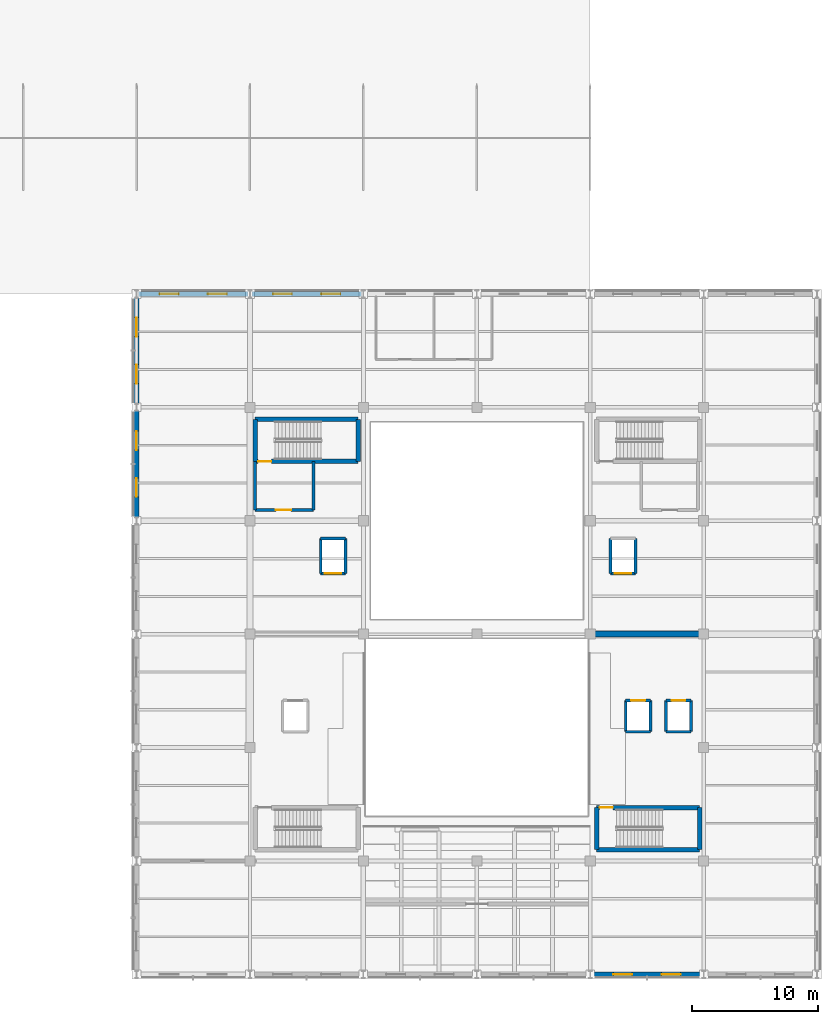
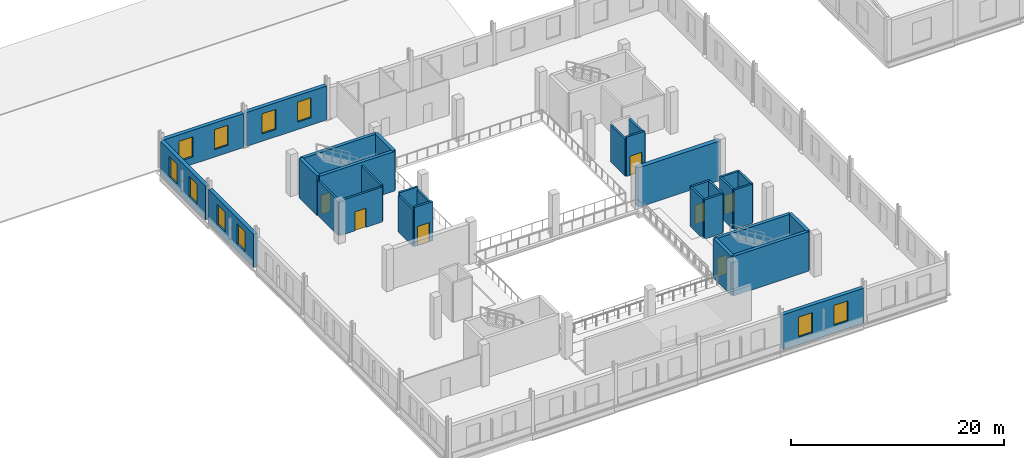
# One storey, part 19 of 35: 32 walls, 10 windows, 7 doors, 17 openings.
"""IFC4 building model written with IfcOpenShell, lengths in metres."""

from ifc_helpers import new_model, si_unit, direction, frame, frame_2d, origin, place, context, subcontext, project, spatial, rectangle, extrude, material, layer, layer_set, type_object, element, fill, save


model = new_model("IFC4")

# Units and contexts
model_context = context("Model", 3, precision=1e-05, world=origin(), true_north=direction((0.0, 1.0)))
body_context = subcontext(model_context, "Body", "Model", "MODEL_VIEW")
ifc_project = project(units=[si_unit("LENGTHUNIT", "METRE"), si_unit("AREAUNIT", "SQUARE_METRE"), si_unit("VOLUMEUNIT", "CUBIC_METRE"), si_unit("PLANEANGLEUNIT", "RADIAN"), si_unit("MASSUNIT", "GRAM", prefix="KILO")], contexts=[model_context])

# Site, building, storey
site_placement = place(None, origin())
site = spatial("IfcSite", under=ifc_project, at=site_placement, CompositionType="ELEMENT")
building_placement = place(site_placement, origin())
building = spatial("IfcBuilding", under=site, at=building_placement, Name="Sundgate Opera House", CompositionType="ELEMENT")
storey_placement = place(building_placement, frame((0.0, 0.0, 21.60009765625)))
storey = spatial("IfcBuildingStorey", under=building, at=storey_placement, Name="L04", CompositionType="ELEMENT", Elevation=21.60009765625)

# Wall, opening, door
ifc_material_1 = material(Name="Concrete C40/50", Category="concrete")
ifc_layer_1 = layer(ifc_material_1, 0.35009765625)
ifc_layer_set_1 = layer_set([ifc_layer_1], Name="Concrete C40/50")
wall_type_1 = type_object("IfcWallType", Name="WL-CORE-350", PredefinedType="SHEAR", material=ifc_layer_set_1)
wall_1_placement = place(storey_placement, frame((36.409912109375, 73.7099609375, 0.0), z_axis=(0.0, 0.0, 1.0), x_axis=(1.0, 0.0, 0.0)))
wall_1 = element("IfcWall", 1, at=wall_1_placement, inside=storey, type_object=wall_type_1, Name="L04 C2 South Shaft Wall", PredefinedType="SHEAR", context=body_context, shape_type="SweptSolid", body=[
    extrude(rectangle(XDim=8.18017578125, YDim=0.35009765625, at=frame_2d((4.090087890625, 0.0))), origin(), (0.0, 0.0, 1.0), 4.539794921875),
])
opening_1_placement = place(wall_1_placement, frame((0.239990234375, 0.0, 0.0)))
opening_1 = element("IfcOpeningElement", 2, at=opening_1_placement, cuts=wall_1, Name="Opening DI01", PredefinedType="OPENING", context=body_context, shape_type="SweptSolid", body=[
    extrude(rectangle(XDim=1.050048828125, YDim=2.179931640625, at=frame_2d((0.52490234375, 1.08984375))), frame((0.0, 0.18505859375, 0.0), z_axis=(0.0, -1.0, 0.0), x_axis=(1.0, 0.0, 0.0)), (0.0, 0.0, 1.0), 0.3701171875),
])
ifc_material_2 = material(Name="Acoustic hardwood timber and steel core", Category="steel")
door_type_1 = type_object("IfcDoorType", Name="DR-STAIR-1050x2180", OperationType="NOTDEFINED", PredefinedType="DOOR", material=ifc_material_2)
door_1_placement = place(opening_1_placement, origin())
door_1 = element("IfcDoor", 3, at=door_1_placement, inside=storey, type_object=door_type_1, Name="L04 C2 Stair Door D0042", OperationType="SINGLE_SWING_RIGHT", OverallHeight=2.179931640625, OverallWidth=1.050048828125, PredefinedType="DOOR", context=body_context, shape_type="SweptSolid", body=[
    extrude(rectangle(XDim=1.050048828125, YDim=2.179931640625, at=frame_2d((0.52490234375, 1.08984375))), frame((0.0, 0.02490234375, 0.0), z_axis=(0.0, -1.0, 0.0), x_axis=(1.0, 0.0, 0.0)), (0.0, 0.0, 1.0), 0.050048828125),
])
fill(opening_1, door_1)

# Walls
wall_2_placement = place(storey_placement, frame((36.409912109375, 77.0400390625, 0.0), z_axis=(0.0, 0.0, 1.0), x_axis=(1.0, 0.0, 0.0)))
element("IfcWall", 4, at=wall_2_placement, inside=storey, type_object=wall_type_1, Name="L04 C2 North Shaft Wall", PredefinedType="SHEAR", context=body_context, shape_type="SweptSolid", body=[
    extrude(rectangle(XDim=8.18017578125, YDim=0.35009765625, at=frame_2d((4.090087890625, 0.0))), origin(), (0.0, 0.0, 1.0), 4.539794921875),
])
for number, where, z_axis, x_axis, name in (
    (5, (36.409912109375, 73.7099609375, 0.0), (0.0, 0.0, 1.0), (0.0, 1.0, 0.0), "L04 C2 West Shaft Wall"),
    (6, (44.590087890625, 73.7099609375, 0.0), (0.0, 0.0, 1.0), (0.0, 1.0, 0.0), "L04 C2 East Shaft Wall"),
):
    element("IfcWall", number, at=place(storey_placement, frame(where, z_axis=z_axis, x_axis=x_axis)), inside=storey, type_object=wall_type_1, Name=name, PredefinedType="SHEAR", context=body_context, shape_type="SweptSolid", body=[
        extrude(rectangle(XDim=3.330078125, YDim=0.35009765625, at=frame_2d((1.6650390625, 0.0))), origin(), (0.0, 0.0, 1.0), 4.539794921875),
    ])
wall_3_placement = place(storey_placement, frame((63.510009765625, 42.909912109375, 0.0), z_axis=(0.0, 0.0, 1.0), x_axis=(1.0, 0.0, 0.0)))
element("IfcWall", 7, at=wall_3_placement, inside=storey, type_object=wall_type_1, Name="L04 C3 South Shaft Wall", PredefinedType="SHEAR", context=body_context, shape_type="SweptSolid", body=[
    extrude(rectangle(XDim=8.179931640625, YDim=0.35009765625, at=frame_2d((4.08984375, 0.0))), origin(), (0.0, 0.0, 1.0), 4.539794921875),
])

# Wall, opening, door
wall_4_placement = place(storey_placement, frame((63.510009765625, 46.239990234375, 0.0), z_axis=(0.0, 0.0, 1.0), x_axis=(1.0, 0.0, 0.0)))
wall_4 = element("IfcWall", 8, at=wall_4_placement, inside=storey, type_object=wall_type_1, Name="L04 C3 North Shaft Wall", PredefinedType="SHEAR", context=body_context, shape_type="SweptSolid", body=[
    extrude(rectangle(XDim=8.179931640625, YDim=0.35009765625, at=frame_2d((4.08984375, 0.0))), origin(), (0.0, 0.0, 1.0), 4.539794921875),
])
opening_2_placement = place(wall_4_placement, frame((0.239990234375, 0.0, 0.0)))
opening_2 = element("IfcOpeningElement", 9, at=opening_2_placement, cuts=wall_4, Name="Opening DI01", PredefinedType="OPENING", context=body_context, shape_type="SweptSolid", body=[
    extrude(rectangle(XDim=1.050048828125, YDim=2.179931640625, at=frame_2d((0.52490234375, 1.08984375))), frame((0.0, 0.18505859375, 0.0), z_axis=(0.0, -1.0, 0.0), x_axis=(1.0, 0.0, 0.0)), (0.0, 0.0, 1.0), 0.3701171875),
])
door_2_placement = place(opening_2_placement, origin())
door_2 = element("IfcDoor", 10, at=door_2_placement, inside=storey, type_object=door_type_1, Name="L04 C3 Stair Door D0053", OperationType="SINGLE_SWING_LEFT", OverallHeight=2.179931640625, OverallWidth=1.050048828125, PredefinedType="DOOR", context=body_context, shape_type="SweptSolid", body=[
    extrude(rectangle(XDim=1.050048828125, YDim=2.179931640625, at=frame_2d((0.52490234375, 1.08984375))), frame((0.0, 0.02490234375, 0.0), z_axis=(0.0, -1.0, 0.0), x_axis=(1.0, 0.0, 0.0)), (0.0, 0.0, 1.0), 0.050048828125),
])
fill(opening_2, door_2)

# Walls
for number, where, z_axis, x_axis, name in (
    (11, (63.510009765625, 42.909912109375, 0.0), (0.0, 0.0, 1.0), (0.0, 1.0, 0.0), "L04 C3 West Shaft Wall"),
    (12, (71.68994140625, 42.909912109375, 0.0), (0.0, 0.0, 1.0), (0.0, 1.0, 0.0), "L04 C3 East Shaft Wall"),
):
    element("IfcWall", number, at=place(storey_placement, frame(where, z_axis=z_axis, x_axis=x_axis)), inside=storey, type_object=wall_type_1, Name=name, PredefinedType="SHEAR", context=body_context, shape_type="SweptSolid", body=[
        extrude(rectangle(XDim=3.330078125, YDim=0.35009765625, at=frame_2d((1.6650390625, 0.0))), origin(), (0.0, 0.0, 1.0), 4.539794921875),
    ])

# Wall, openings, windows
ifc_material_3 = material(Name="Vitrified stoneware trencadis and brick masonry", Category="masonry")
ifc_layer_2 = layer(ifc_material_3, 0.409912109375)
ifc_layer_set_2 = layer_set([ifc_layer_2], Name="Vitrified stoneware trencadis and brick masonry")
wall_type_2 = type_object("IfcWallType", Name="WL-EXT-TRENC-410", PredefinedType="SOLIDWALL", material=ifc_layer_set_2)
wall_5_placement = place(storey_placement, frame((27.14501953125, 87.0, 0.0), z_axis=(0.0, 0.0, 1.0), x_axis=(1.0, 0.0, 0.0)))
wall_5 = element("IfcWall", 13, at=wall_5_placement, inside=storey, type_object=wall_type_2, Name="L04 Lifted Cube North Relief Wall W0094", PredefinedType="SOLIDWALL", context=body_context, shape_type="SweptSolid", body=[
    extrude(rectangle(XDim=8.7099609375, YDim=0.409912109375, at=frame_2d((4.35498046875, 0.0))), origin(), (0.0, 0.0, 1.0), 3.90478515625),
])
opening_3_placement = place(wall_5_placement, frame((1.68896484375, 0.0, 0.85009765625)))
opening_3 = element("IfcOpeningElement", 14, at=opening_3_placement, cuts=wall_5, Name="Opening W02", PredefinedType="OPENING", context=body_context, shape_type="SweptSolid", body=[
    extrude(rectangle(XDim=1.5, YDim=2.300048828125, at=frame_2d((0.75, 1.14990234375))), frame((0.0, 0.21484375, 0.0), z_axis=(0.0, -1.0, 0.0), x_axis=(1.0, 0.0, 0.0)), (0.0, 0.0, 1.0), 0.429931640625),
])
opening_4_placement = place(wall_5_placement, frame((5.52099609375, 0.0, 0.85009765625)))
opening_4 = element("IfcOpeningElement", 15, at=opening_4_placement, cuts=wall_5, Name="Opening W02", PredefinedType="OPENING", context=body_context, shape_type="SweptSolid", body=[
    extrude(rectangle(XDim=1.5, YDim=2.300048828125, at=frame_2d((0.75, 1.14990234375))), frame((0.0, 0.21484375, 0.0), z_axis=(0.0, -1.0, 0.0), x_axis=(1.0, 0.0, 0.0)), (0.0, 0.0, 1.0), 0.429931640625),
])
ifc_material_4 = material(Name="Low-iron triple glazing in patinated bronze frame", Category="glass")
window_type = type_object("IfcWindowType", Name="WN-CUBE-1500x2300", PartitioningType="SINGLE_PANEL", PredefinedType="WINDOW", material=ifc_material_4)
window_1_placement = place(opening_3_placement, origin())
window_1 = element("IfcWindow", 16, at=window_1_placement, inside=storey, type_object=window_type, Name="L04 Cube Loggia Window WN0059", OverallHeight=2.300048828125, OverallWidth=1.5, PartitioningType="SINGLE_PANEL", PredefinedType="WINDOW", context=body_context, shape_type="SweptSolid", body=[
    extrude(rectangle(XDim=1.5, YDim=2.300048828125, at=frame_2d((0.75, 1.14990234375))), frame((0.0, 0.030029296875, 0.0), z_axis=(0.0, -1.0, 0.0), x_axis=(1.0, 0.0, 0.0)), (0.0, 0.0, 1.0), 0.06005859375),
])
fill(opening_3, window_1)
window_2_placement = place(opening_4_placement, origin())
window_2 = element("IfcWindow", 17, at=window_2_placement, inside=storey, type_object=window_type, Name="L04 Cube Loggia Window WN0060", OverallHeight=2.300048828125, OverallWidth=1.5, PartitioningType="SINGLE_PANEL", PredefinedType="WINDOW", context=body_context, shape_type="SweptSolid", body=[
    extrude(rectangle(XDim=1.5, YDim=2.300048828125, at=frame_2d((0.75, 1.14990234375))), frame((0.0, 0.030029296875, 0.0), z_axis=(0.0, -1.0, 0.0), x_axis=(1.0, 0.0, 0.0)), (0.0, 0.0, 1.0), 0.06005859375),
])
fill(opening_4, window_2)

wall_6_placement = place(storey_placement, frame((36.14501953125, 87.0, 0.0), z_axis=(0.0, 0.0, 1.0), x_axis=(1.0, 0.0, 0.0)))
wall_6 = element("IfcWall", 18, at=wall_6_placement, inside=storey, type_object=wall_type_2, Name="L04 Lifted Cube North Relief Wall W0096", PredefinedType="SOLIDWALL", context=body_context, shape_type="SweptSolid", body=[
    extrude(rectangle(XDim=8.7099609375, YDim=0.409912109375, at=frame_2d((4.35498046875, 0.0))), origin(), (0.0, 0.0, 1.0), 3.90478515625),
])
opening_5_placement = place(wall_6_placement, frame((1.68896484375, 0.0, 0.85009765625)))
opening_5 = element("IfcOpeningElement", 19, at=opening_5_placement, cuts=wall_6, Name="Opening W02", PredefinedType="OPENING", context=body_context, shape_type="SweptSolid", body=[
    extrude(rectangle(XDim=1.5, YDim=2.300048828125, at=frame_2d((0.75, 1.14990234375))), frame((0.0, 0.21484375, 0.0), z_axis=(0.0, -1.0, 0.0), x_axis=(1.0, 0.0, 0.0)), (0.0, 0.0, 1.0), 0.429931640625),
])
opening_6_placement = place(wall_6_placement, frame((5.52099609375, 0.0, 0.85009765625)))
opening_6 = element("IfcOpeningElement", 20, at=opening_6_placement, cuts=wall_6, Name="Opening W02", PredefinedType="OPENING", context=body_context, shape_type="SweptSolid", body=[
    extrude(rectangle(XDim=1.5, YDim=2.300048828125, at=frame_2d((0.75, 1.14990234375))), frame((0.0, 0.21484375, 0.0), z_axis=(0.0, -1.0, 0.0), x_axis=(1.0, 0.0, 0.0)), (0.0, 0.0, 1.0), 0.429931640625),
])
window_3_placement = place(opening_5_placement, origin())
window_3 = element("IfcWindow", 21, at=window_3_placement, inside=storey, type_object=window_type, Name="L04 Cube Loggia Window WN0063", OverallHeight=2.300048828125, OverallWidth=1.5, PartitioningType="SINGLE_PANEL", PredefinedType="WINDOW", context=body_context, shape_type="SweptSolid", body=[
    extrude(rectangle(XDim=1.5, YDim=2.300048828125, at=frame_2d((0.75, 1.14990234375))), frame((0.0, 0.030029296875, 0.0), z_axis=(0.0, -1.0, 0.0), x_axis=(1.0, 0.0, 0.0)), (0.0, 0.0, 1.0), 0.06005859375),
])
fill(opening_5, window_3)
window_4_placement = place(opening_6_placement, origin())
window_4 = element("IfcWindow", 22, at=window_4_placement, inside=storey, type_object=window_type, Name="L04 Cube Loggia Window WN0064", OverallHeight=2.300048828125, OverallWidth=1.5, PartitioningType="SINGLE_PANEL", PredefinedType="WINDOW", context=body_context, shape_type="SweptSolid", body=[
    extrude(rectangle(XDim=1.5, YDim=2.300048828125, at=frame_2d((0.75, 1.14990234375))), frame((0.0, 0.030029296875, 0.0), z_axis=(0.0, -1.0, 0.0), x_axis=(1.0, 0.0, 0.0)), (0.0, 0.0, 1.0), 0.06005859375),
])
fill(opening_6, window_4)

wall_7_placement = place(storey_placement, frame((71.85498046875, 33.0, 0.0), z_axis=(0.0, 0.0, 1.0), x_axis=(-1.0, 0.0, 0.0)))
wall_7 = element("IfcWall", 23, at=wall_7_placement, inside=storey, type_object=wall_type_2, Name="L04 Lifted Cube South Relief Wall W0101", PredefinedType="SOLIDWALL", context=body_context, shape_type="SweptSolid", body=[
    extrude(rectangle(XDim=8.7099609375, YDim=0.409912109375, at=frame_2d((4.35498046875, 0.0))), origin(), (0.0, 0.0, 1.0), 4.0048828125),
])
opening_7_placement = place(wall_7_placement, frame((1.68896484375, 0.0, 0.85009765625)))
opening_7 = element("IfcOpeningElement", 24, at=opening_7_placement, cuts=wall_7, Name="Opening W02", PredefinedType="OPENING", context=body_context, shape_type="SweptSolid", body=[
    extrude(rectangle(XDim=1.5, YDim=2.300048828125, at=frame_2d((0.75, 1.14990234375))), frame((0.0, 0.21484375, 0.0), z_axis=(0.0, -1.0, 0.0), x_axis=(1.0, 0.0, 0.0)), (0.0, 0.0, 1.0), 0.429931640625),
])
opening_8_placement = place(wall_7_placement, frame((5.52099609375, 0.0, 0.85009765625)))
opening_8 = element("IfcOpeningElement", 25, at=opening_8_placement, cuts=wall_7, Name="Opening W02", PredefinedType="OPENING", context=body_context, shape_type="SweptSolid", body=[
    extrude(rectangle(XDim=1.5, YDim=2.300048828125, at=frame_2d((0.75, 1.14990234375))), frame((0.0, 0.21484375, 0.0), z_axis=(0.0, -1.0, 0.0), x_axis=(1.0, 0.0, 0.0)), (0.0, 0.0, 1.0), 0.429931640625),
])
window_5_placement = place(opening_7_placement, origin())
window_5 = element("IfcWindow", 26, at=window_5_placement, inside=storey, type_object=window_type, Name="L04 Cube Loggia Window WN0073", OverallHeight=2.300048828125, OverallWidth=1.5, PartitioningType="SINGLE_PANEL", PredefinedType="WINDOW", context=body_context, shape_type="SweptSolid", body=[
    extrude(rectangle(XDim=1.5, YDim=2.300048828125, at=frame_2d((0.75, 1.14990234375))), frame((0.0, 0.030029296875, 0.0), z_axis=(0.0, -1.0, 0.0), x_axis=(1.0, 0.0, 0.0)), (0.0, 0.0, 1.0), 0.06005859375),
])
fill(opening_7, window_5)
window_6_placement = place(opening_8_placement, origin())
window_6 = element("IfcWindow", 27, at=window_6_placement, inside=storey, type_object=window_type, Name="L04 Cube Loggia Window WN0074", OverallHeight=2.300048828125, OverallWidth=1.5, PartitioningType="SINGLE_PANEL", PredefinedType="WINDOW", context=body_context, shape_type="SweptSolid", body=[
    extrude(rectangle(XDim=1.5, YDim=2.300048828125, at=frame_2d((0.75, 1.14990234375))), frame((0.0, 0.030029296875, 0.0), z_axis=(0.0, -1.0, 0.0), x_axis=(1.0, 0.0, 0.0)), (0.0, 0.0, 1.0), 0.06005859375),
])
fill(opening_8, window_6)

wall_8_placement = place(storey_placement, frame((27.0, 77.72998046875, 0.0), z_axis=(0.0, 0.0, 1.0), x_axis=(0.0, -1.0, 0.0)))
wall_8 = element("IfcWall", 28, at=wall_8_placement, inside=storey, type_object=wall_type_2, Name="L04 Lifted Cube West Relief Wall W0113", PredefinedType="SOLIDWALL", context=body_context, shape_type="SweptSolid", body=[
    extrude(rectangle(XDim=8.4599609375, YDim=0.409912109375, at=frame_2d((4.22998046875, 0.0))), origin(), (0.0, 0.0, 1.0), 3.85498046875),
])
opening_9_placement = place(wall_8_placement, frame((1.618896484375, 0.0, 0.85009765625)))
opening_9 = element("IfcOpeningElement", 29, at=opening_9_placement, cuts=wall_8, Name="Opening W02", PredefinedType="OPENING", context=body_context, shape_type="SweptSolid", body=[
    extrude(rectangle(XDim=1.5, YDim=2.300048828125, at=frame_2d((0.75, 1.14990234375))), frame((0.0, 0.21484375, 0.0), z_axis=(0.0, -1.0, 0.0), x_axis=(1.0, 0.0, 0.0)), (0.0, 0.0, 1.0), 0.429931640625),
])
opening_10_placement = place(wall_8_placement, frame((5.341064453125, 0.0, 0.85009765625)))
opening_10 = element("IfcOpeningElement", 30, at=opening_10_placement, cuts=wall_8, Name="Opening W02", PredefinedType="OPENING", context=body_context, shape_type="SweptSolid", body=[
    extrude(rectangle(XDim=1.5, YDim=2.300048828125, at=frame_2d((0.75, 1.14990234375))), frame((0.0, 0.21484375, 0.0), z_axis=(0.0, -1.0, 0.0), x_axis=(1.0, 0.0, 0.0)), (0.0, 0.0, 1.0), 0.429931640625),
])
window_7_placement = place(opening_9_placement, origin())
window_7 = element("IfcWindow", 31, at=window_7_placement, inside=storey, type_object=window_type, Name="L04 Cube Loggia Window WN0097", OverallHeight=2.300048828125, OverallWidth=1.5, PartitioningType="SINGLE_PANEL", PredefinedType="WINDOW", context=body_context, shape_type="SweptSolid", body=[
    extrude(rectangle(XDim=1.5, YDim=2.300048828125, at=frame_2d((0.75, 1.14990234375))), frame((0.0, 0.030029296875, 0.0), z_axis=(0.0, -1.0, 0.0), x_axis=(1.0, 0.0, 0.0)), (0.0, 0.0, 1.0), 0.06005859375),
])
fill(opening_9, window_7)
window_8_placement = place(opening_10_placement, origin())
window_8 = element("IfcWindow", 32, at=window_8_placement, inside=storey, type_object=window_type, Name="L04 Cube Loggia Window WN0098", OverallHeight=2.300048828125, OverallWidth=1.5, PartitioningType="SINGLE_PANEL", PredefinedType="WINDOW", context=body_context, shape_type="SweptSolid", body=[
    extrude(rectangle(XDim=1.5, YDim=2.300048828125, at=frame_2d((0.75, 1.14990234375))), frame((0.0, 0.030029296875, 0.0), z_axis=(0.0, -1.0, 0.0), x_axis=(1.0, 0.0, 0.0)), (0.0, 0.0, 1.0), 0.06005859375),
])
fill(opening_10, window_8)

wall_9_placement = place(storey_placement, frame((27.0, 86.72998046875, 0.0), z_axis=(0.0, 0.0, 1.0), x_axis=(0.0, -1.0, 0.0)))
wall_9 = element("IfcWall", 33, at=wall_9_placement, inside=storey, type_object=wall_type_2, Name="L04 Lifted Cube West Relief Wall W0115", PredefinedType="SOLIDWALL", context=body_context, shape_type="SweptSolid", body=[
    extrude(rectangle(XDim=8.4599609375, YDim=0.409912109375, at=frame_2d((4.22998046875, 0.0))), origin(), (0.0, 0.0, 1.0), 3.90478515625),
])
opening_11_placement = place(wall_9_placement, frame((1.618896484375, 0.0, 0.85009765625)))
opening_11 = element("IfcOpeningElement", 34, at=opening_11_placement, cuts=wall_9, Name="Opening W02", PredefinedType="OPENING", context=body_context, shape_type="SweptSolid", body=[
    extrude(rectangle(XDim=1.5, YDim=2.300048828125, at=frame_2d((0.75, 1.14990234375))), frame((0.0, 0.21484375, 0.0), z_axis=(0.0, -1.0, 0.0), x_axis=(1.0, 0.0, 0.0)), (0.0, 0.0, 1.0), 0.429931640625),
])
opening_12_placement = place(wall_9_placement, frame((5.341064453125, 0.0, 0.85009765625)))
opening_12 = element("IfcOpeningElement", 35, at=opening_12_placement, cuts=wall_9, Name="Opening W02", PredefinedType="OPENING", context=body_context, shape_type="SweptSolid", body=[
    extrude(rectangle(XDim=1.5, YDim=2.300048828125, at=frame_2d((0.75, 1.14990234375))), frame((0.0, 0.21484375, 0.0), z_axis=(0.0, -1.0, 0.0), x_axis=(1.0, 0.0, 0.0)), (0.0, 0.0, 1.0), 0.429931640625),
])
window_9_placement = place(opening_11_placement, origin())
window_9 = element("IfcWindow", 36, at=window_9_placement, inside=storey, type_object=window_type, Name="L04 Cube Loggia Window WN0101", OverallHeight=2.300048828125, OverallWidth=1.5, PartitioningType="SINGLE_PANEL", PredefinedType="WINDOW", context=body_context, shape_type="SweptSolid", body=[
    extrude(rectangle(XDim=1.5, YDim=2.300048828125, at=frame_2d((0.75, 1.14990234375))), frame((0.0, 0.030029296875, 0.0), z_axis=(0.0, -1.0, 0.0), x_axis=(1.0, 0.0, 0.0)), (0.0, 0.0, 1.0), 0.06005859375),
])
fill(opening_11, window_9)
window_10_placement = place(opening_12_placement, origin())
window_10 = element("IfcWindow", 37, at=window_10_placement, inside=storey, type_object=window_type, Name="L04 Cube Loggia Window WN0102", OverallHeight=2.300048828125, OverallWidth=1.5, PartitioningType="SINGLE_PANEL", PredefinedType="WINDOW", context=body_context, shape_type="SweptSolid", body=[
    extrude(rectangle(XDim=1.5, YDim=2.300048828125, at=frame_2d((0.75, 1.14990234375))), frame((0.0, 0.030029296875, 0.0), z_axis=(0.0, -1.0, 0.0), x_axis=(1.0, 0.0, 0.0)), (0.0, 0.0, 1.0), 0.06005859375),
])
fill(opening_12, window_10)

# Wall, opening, door
ifc_material_5 = material(Name="Fire-rated gypsum and mineral-wool shaft partition", Category="gypsum")
ifc_layer_3 = layer(ifc_material_5, 0.219970703125)
ifc_layer_set_3 = layer_set([ifc_layer_3], Name="Fire-rated gypsum and mineral-wool shaft partition")
wall_type_3 = type_object("IfcWallType", Name="WL-INT-FIRE-220", PredefinedType="PARTITIONING", material=ifc_layer_set_3)
wall_10_placement = place(storey_placement, frame((36.409912109375, 69.85009765625, 0.0), z_axis=(0.0, 0.0, 1.0), x_axis=(1.0, 0.0, 0.0)))
wall_10 = element("IfcWall", 38, at=wall_10_placement, inside=storey, type_object=wall_type_3, Name="L04 C2 Firefighting Lobby South Wall", PredefinedType="PARTITIONING", context=body_context, shape_type="SweptSolid", body=[
    extrude(rectangle(XDim=4.64013671875, YDim=0.219970703125, at=frame_2d((2.320068359375, 0.0))), origin(), (0.0, 0.0, 1.0), 4.0048828125),
])
opening_13_placement = place(wall_10_placement, frame((1.64990234375, 0.0, 0.0)))
opening_13 = element("IfcOpeningElement", 39, at=opening_13_placement, cuts=wall_10, Name="Opening DI02", PredefinedType="OPENING", context=body_context, shape_type="SweptSolid", body=[
    extrude(rectangle(XDim=1.199951171875, YDim=2.179931640625, at=frame_2d((0.60009765625, 1.08984375))), frame((0.0, 0.119873046875, 0.0), z_axis=(0.0, -1.0, 0.0), x_axis=(1.0, 0.0, 0.0)), (0.0, 0.0, 1.0), 0.239990234375),
])
ifc_material_6 = material(Name="Acoustic hardwood timber and steel core", Category="steel")
door_type_2 = type_object("IfcDoorType", Name="DR-FFLOB-1200x2180", OperationType="NOTDEFINED", PredefinedType="DOOR", material=ifc_material_6)
door_3_placement = place(opening_13_placement, origin())
door_3 = element("IfcDoor", 40, at=door_3_placement, inside=storey, type_object=door_type_2, Name="L04 C2 Firefighting Lobby Door D0043", OperationType="SINGLE_SWING_LEFT", OverallHeight=2.179931640625, OverallWidth=1.199951171875, PredefinedType="DOOR", context=body_context, shape_type="SweptSolid", body=[
    extrude(rectangle(XDim=1.199951171875, YDim=2.179931640625, at=frame_2d((0.60009765625, 1.08984375))), frame((0.0, 0.02490234375, 0.0), z_axis=(0.0, -1.0, 0.0), x_axis=(1.0, 0.0, 0.0)), (0.0, 0.0, 1.0), 0.050048828125),
])
fill(opening_13, door_3)

# Walls
wall_11_placement = place(storey_placement, frame((36.409912109375, 69.85009765625, 0.0), z_axis=(0.0, 0.0, 1.0), x_axis=(0.0, 1.0, 0.0)))
element("IfcWall", 41, at=wall_11_placement, inside=storey, type_object=wall_type_3, Name="L04 C2 Firefighting Lobby West Wall", PredefinedType="PARTITIONING", context=body_context, shape_type="SweptSolid", body=[
    extrude(rectangle(XDim=3.85986328125, YDim=0.219970703125, at=frame_2d((1.929931640625, 0.0))), origin(), (0.0, 0.0, 1.0), 4.0048828125),
])
wall_12_placement = place(storey_placement, frame((41.050048828125, 69.85009765625, 0.0), z_axis=(0.0, 0.0, 1.0), x_axis=(0.0, 1.0, 0.0)))
element("IfcWall", 42, at=wall_12_placement, inside=storey, type_object=wall_type_3, Name="L04 C2 Firefighting Lobby East Wall", PredefinedType="PARTITIONING", context=body_context, shape_type="SweptSolid", body=[
    extrude(rectangle(XDim=3.85986328125, YDim=0.219970703125, at=frame_2d((1.929931640625, 0.0))), origin(), (0.0, 0.0, 1.0), 4.1748046875),
])
wall_13_placement = place(storey_placement, frame((65.81005859375, 52.260009765625, 0.0), z_axis=(0.0, 0.0, 1.0), x_axis=(1.0, 0.0, 0.0)))
element("IfcWall", 43, at=wall_13_placement, inside=storey, type_object=wall_type_3, Name="L04 LF-01 South Shaft Wall", PredefinedType="PARTITIONING", context=body_context, shape_type="SweptSolid", body=[
    extrude(rectangle(XDim=1.97998046875, YDim=0.219970703125, at=frame_2d((0.989990234375, 0.0))), origin(), (0.0, 0.0, 1.0), 4.5048828125),
])

# Wall, opening, door
wall_14_placement = place(storey_placement, frame((65.81005859375, 54.739990234375, 0.0), z_axis=(0.0, 0.0, 1.0), x_axis=(1.0, 0.0, 0.0)))
wall_14 = element("IfcWall", 44, at=wall_14_placement, inside=storey, type_object=wall_type_3, Name="L04 LF-01 North Shaft Wall", PredefinedType="PARTITIONING", context=body_context, shape_type="SweptSolid", body=[
    extrude(rectangle(XDim=1.97998046875, YDim=0.219970703125, at=frame_2d((0.989990234375, 0.0))), origin(), (0.0, 0.0, 1.0), 4.5048828125),
])
opening_14_placement = place(wall_14_placement, frame((0.43994140625, 0.0, 0.0)))
opening_14 = element("IfcOpeningElement", 45, at=opening_14_placement, cuts=wall_14, Name="Opening LD1", PredefinedType="OPENING", context=body_context, shape_type="SweptSolid", body=[
    extrude(rectangle(XDim=1.10009765625, YDim=2.179931640625, at=frame_2d((0.550048828125, 1.08984375))), frame((0.0, 0.119873046875, 0.0), z_axis=(0.0, -1.0, 0.0), x_axis=(1.0, 0.0, 0.0)), (0.0, 0.0, 1.0), 0.239990234375),
])
ifc_material_7 = material(Name="Brushed stainless steel EN 1.4301", Category="steel")
door_type_3 = type_object("IfcDoorType", Name="DR-LIFT-1100x2180", OperationType="DOUBLE_DOOR_SLIDING", PredefinedType="DOOR", material=ifc_material_7)
door_4_placement = place(opening_14_placement, origin())
door_4 = element("IfcDoor", 46, at=door_4_placement, inside=storey, type_object=door_type_3, Name="L04 LF-01 Landing Door D0097", OperationType="DOUBLE_DOOR_SLIDING", OverallHeight=2.179931640625, OverallWidth=1.10009765625, PredefinedType="DOOR", context=body_context, shape_type="SweptSolid", body=[
    extrude(rectangle(XDim=1.10009765625, YDim=2.179931640625, at=frame_2d((0.550048828125, 1.08984375))), frame((0.0, 0.02490234375, 0.0), z_axis=(0.0, -1.0, 0.0), x_axis=(1.0, 0.0, 0.0)), (0.0, 0.0, 1.0), 0.050048828125),
])
fill(opening_14, door_4)

# Walls
for number, where, z_axis, x_axis, name in (
    (47, (65.81005859375, 52.260009765625, 0.0), (0.0, 0.0, 1.0), (0.0, 1.0, 0.0), "L04 LF-01 West Shaft Wall"),
    (48, (67.7900390625, 52.260009765625, 0.0), (0.0, 0.0, 1.0), (0.0, 1.0, 0.0), "L04 LF-01 East Shaft Wall"),
):
    element("IfcWall", number, at=place(storey_placement, frame(where, z_axis=z_axis, x_axis=x_axis)), inside=storey, type_object=wall_type_3, Name=name, PredefinedType="PARTITIONING", context=body_context, shape_type="SweptSolid", body=[
        extrude(rectangle(XDim=2.47998046875, YDim=0.219970703125, at=frame_2d((1.239990234375, 0.0))), origin(), (0.0, 0.0, 1.0), 4.5048828125),
    ])
wall_15_placement = place(storey_placement, frame((69.010009765625, 52.260009765625, 0.0), z_axis=(0.0, 0.0, 1.0), x_axis=(1.0, 0.0, 0.0)))
element("IfcWall", 49, at=wall_15_placement, inside=storey, type_object=wall_type_3, Name="L04 LF-02 South Shaft Wall", PredefinedType="PARTITIONING", context=body_context, shape_type="SweptSolid", body=[
    extrude(rectangle(XDim=1.97998046875, YDim=0.219970703125, at=frame_2d((0.989990234375, 0.0))), origin(), (0.0, 0.0, 1.0), 4.5048828125),
])

# Wall, opening, door
wall_16_placement = place(storey_placement, frame((69.010009765625, 54.739990234375, 0.0), z_axis=(0.0, 0.0, 1.0), x_axis=(1.0, 0.0, 0.0)))
wall_16 = element("IfcWall", 50, at=wall_16_placement, inside=storey, type_object=wall_type_3, Name="L04 LF-02 North Shaft Wall", PredefinedType="PARTITIONING", context=body_context, shape_type="SweptSolid", body=[
    extrude(rectangle(XDim=1.97998046875, YDim=0.219970703125, at=frame_2d((0.989990234375, 0.0))), origin(), (0.0, 0.0, 1.0), 4.5048828125),
])
opening_15_placement = place(wall_16_placement, frame((0.43994140625, 0.0, 0.0)))
opening_15 = element("IfcOpeningElement", 51, at=opening_15_placement, cuts=wall_16, Name="Opening LD1", PredefinedType="OPENING", context=body_context, shape_type="SweptSolid", body=[
    extrude(rectangle(XDim=1.10009765625, YDim=2.179931640625, at=frame_2d((0.550048828125, 1.08984375))), frame((0.0, 0.119873046875, 0.0), z_axis=(0.0, -1.0, 0.0), x_axis=(1.0, 0.0, 0.0)), (0.0, 0.0, 1.0), 0.239990234375),
])
door_5_placement = place(opening_15_placement, origin())
door_5 = element("IfcDoor", 52, at=door_5_placement, inside=storey, type_object=door_type_3, Name="L04 LF-02 Landing Door D0104", OperationType="DOUBLE_DOOR_SLIDING", OverallHeight=2.179931640625, OverallWidth=1.10009765625, PredefinedType="DOOR", context=body_context, shape_type="SweptSolid", body=[
    extrude(rectangle(XDim=1.10009765625, YDim=2.179931640625, at=frame_2d((0.550048828125, 1.08984375))), frame((0.0, 0.02490234375, 0.0), z_axis=(0.0, -1.0, 0.0), x_axis=(1.0, 0.0, 0.0)), (0.0, 0.0, 1.0), 0.050048828125),
])
fill(opening_15, door_5)

# Walls
for number, where, z_axis, x_axis, name in (
    (53, (69.010009765625, 52.260009765625, 0.0), (0.0, 0.0, 1.0), (0.0, 1.0, 0.0), "L04 LF-02 West Shaft Wall"),
    (54, (70.989990234375, 52.260009765625, 0.0), (0.0, 0.0, 1.0), (0.0, 1.0, 0.0), "L04 LF-02 East Shaft Wall"),
):
    element("IfcWall", number, at=place(storey_placement, frame(where, z_axis=z_axis, x_axis=x_axis)), inside=storey, type_object=wall_type_3, Name=name, PredefinedType="PARTITIONING", context=body_context, shape_type="SweptSolid", body=[
        extrude(rectangle(XDim=2.47998046875, YDim=0.219970703125, at=frame_2d((1.239990234375, 0.0))), origin(), (0.0, 0.0, 1.0), 4.5048828125),
    ])

# Wall, opening, door
wall_17_placement = place(storey_placement, frame((41.610107421875, 64.81005859375, 0.0), z_axis=(0.0, 0.0, 1.0), x_axis=(1.0, 0.0, 0.0)))
wall_17 = element("IfcWall", 55, at=wall_17_placement, inside=storey, type_object=wall_type_3, Name="L04 FF1 South Shaft Wall", PredefinedType="PARTITIONING", context=body_context, shape_type="SweptSolid", body=[
    extrude(rectangle(XDim=1.97998046875, YDim=0.219970703125, at=frame_2d((0.989990234375, 0.0))), origin(), (0.0, 0.0, 1.0), 4.5048828125),
])
opening_16_placement = place(wall_17_placement, frame((0.340087890625, 0.0, 0.0)))
opening_16 = element("IfcOpeningElement", 56, at=opening_16_placement, cuts=wall_17, Name="Opening LD2", PredefinedType="OPENING", context=body_context, shape_type="SweptSolid", body=[
    extrude(rectangle(XDim=1.300048828125, YDim=2.199951171875, at=frame_2d((0.64990234375, 1.10009765625))), frame((0.0, 0.119873046875, 0.0), z_axis=(0.0, -1.0, 0.0), x_axis=(1.0, 0.0, 0.0)), (0.0, 0.0, 1.0), 0.239990234375),
])
ifc_material_8 = material(Name="Brushed stainless steel EN 1.4301", Category="steel")
door_type_4 = type_object("IfcDoorType", Name="DR-LIFT-1300x2200", OperationType="DOUBLE_DOOR_SLIDING", PredefinedType="DOOR", material=ifc_material_8)
door_6_placement = place(opening_16_placement, origin())
door_6 = element("IfcDoor", 57, at=door_6_placement, inside=storey, type_object=door_type_4, Name="L04 FF1 Landing Door D0133", OperationType="DOUBLE_DOOR_SLIDING", OverallHeight=2.199951171875, OverallWidth=1.300048828125, PredefinedType="DOOR", context=body_context, shape_type="SweptSolid", body=[
    extrude(rectangle(XDim=1.300048828125, YDim=2.199951171875, at=frame_2d((0.64990234375, 1.10009765625))), frame((0.0, 0.02490234375, 0.0), z_axis=(0.0, -1.0, 0.0), x_axis=(1.0, 0.0, 0.0)), (0.0, 0.0, 1.0), 0.050048828125),
])
fill(opening_16, door_6)

# Walls
wall_18_placement = place(storey_placement, frame((41.610107421875, 67.590087890625, 0.0), z_axis=(0.0, 0.0, 1.0), x_axis=(1.0, 0.0, 0.0)))
element("IfcWall", 58, at=wall_18_placement, inside=storey, type_object=wall_type_3, Name="L04 FF1 North Shaft Wall", PredefinedType="PARTITIONING", context=body_context, shape_type="SweptSolid", body=[
    extrude(rectangle(XDim=1.97998046875, YDim=0.219970703125, at=frame_2d((0.989990234375, 0.0))), origin(), (0.0, 0.0, 1.0), 4.5048828125),
])
for number, where, z_axis, x_axis, name in (
    (59, (41.610107421875, 64.81005859375, 0.0), (0.0, 0.0, 1.0), (0.0, 1.0, 0.0), "L04 FF1 West Shaft Wall"),
    (60, (43.590087890625, 64.81005859375, 0.0), (0.0, 0.0, 1.0), (0.0, 1.0, 0.0), "L04 FF1 East Shaft Wall"),
):
    element("IfcWall", number, at=place(storey_placement, frame(where, z_axis=z_axis, x_axis=x_axis)), inside=storey, type_object=wall_type_3, Name=name, PredefinedType="PARTITIONING", context=body_context, shape_type="SweptSolid", body=[
        extrude(rectangle(XDim=2.780029296875, YDim=0.219970703125, at=frame_2d((1.39013671875, 0.0))), origin(), (0.0, 0.0, 1.0), 4.1748046875),
    ])

# Wall, opening, door
wall_19_placement = place(storey_placement, frame((64.610107421875, 64.81005859375, 0.0), z_axis=(0.0, 0.0, 1.0), x_axis=(1.0, 0.0, 0.0)))
wall_19 = element("IfcWall", 61, at=wall_19_placement, inside=storey, type_object=wall_type_3, Name="L04 FF2 South Shaft Wall", PredefinedType="PARTITIONING", context=body_context, shape_type="SweptSolid", body=[
    extrude(rectangle(XDim=1.97998046875, YDim=0.219970703125, at=frame_2d((0.989990234375, 0.0))), origin(), (0.0, 0.0, 1.0), 4.5048828125),
])
opening_17_placement = place(wall_19_placement, frame((0.340087890625, 0.0, 0.0)))
opening_17 = element("IfcOpeningElement", 62, at=opening_17_placement, cuts=wall_19, Name="Opening LD2", PredefinedType="OPENING", context=body_context, shape_type="SweptSolid", body=[
    extrude(rectangle(XDim=1.300048828125, YDim=2.199951171875, at=frame_2d((0.64990234375, 1.10009765625))), frame((0.0, 0.119873046875, 0.0), z_axis=(0.0, -1.0, 0.0), x_axis=(1.0, 0.0, 0.0)), (0.0, 0.0, 1.0), 0.239990234375),
])
door_7_placement = place(opening_17_placement, origin())
door_7 = element("IfcDoor", 63, at=door_7_placement, inside=storey, type_object=door_type_4, Name="L04 FF2 Landing Door D0141", OperationType="DOUBLE_DOOR_SLIDING", OverallHeight=2.199951171875, OverallWidth=1.300048828125, PredefinedType="DOOR", context=body_context, shape_type="SweptSolid", body=[
    extrude(rectangle(XDim=1.300048828125, YDim=2.199951171875, at=frame_2d((0.64990234375, 1.10009765625))), frame((0.0, 0.02490234375, 0.0), z_axis=(0.0, -1.0, 0.0), x_axis=(1.0, 0.0, 0.0)), (0.0, 0.0, 1.0), 0.050048828125),
])
fill(opening_17, door_7)

# Walls
for number, where, z_axis, x_axis, name in (
    (64, (64.610107421875, 64.81005859375, 0.0), (0.0, 0.0, 1.0), (0.0, 1.0, 0.0), "L04 FF2 West Shaft Wall"),
    (65, (66.590087890625, 64.81005859375, 0.0), (0.0, 0.0, 1.0), (0.0, 1.0, 0.0), "L04 FF2 East Shaft Wall"),
):
    element("IfcWall", number, at=place(storey_placement, frame(where, z_axis=z_axis, x_axis=x_axis)), inside=storey, type_object=wall_type_3, Name=name, PredefinedType="PARTITIONING", context=body_context, shape_type="SweptSolid", body=[
        extrude(rectangle(XDim=2.780029296875, YDim=0.219970703125, at=frame_2d((1.39013671875, 0.0))), origin(), (0.0, 0.0, 1.0), 4.23486328125),
    ])
ifc_material_9 = material(Name="Concrete C40/50", Category="concrete")
ifc_layer_4 = layer(ifc_material_9, 0.47998046875)
ifc_layer_set_4 = layer_set([ifc_layer_4], Name="Concrete C40/50")
wall_type_4 = type_object("IfcWallType", Name="WL-PROS-480", PredefinedType="SHEAR", material=ifc_layer_set_4)
wall_20_placement = place(storey_placement, frame((63.0, 60.0, 0.0), z_axis=(0.0, 0.0, 1.0), x_axis=(1.0, 0.0, 0.0)))
element("IfcWall", 66, at=wall_20_placement, inside=storey, type_object=wall_type_4, Name="L04 Proscenium Shear Wall W0019", PredefinedType="SHEAR", context=body_context, shape_type="SweptSolid", body=[
    extrude(rectangle(XDim=9.0, YDim=0.47998046875, at=frame_2d((4.5, 0.0))), origin(), (0.0, 0.0, 1.0), 4.539794921875),
])

save(model, "model.ifc")
